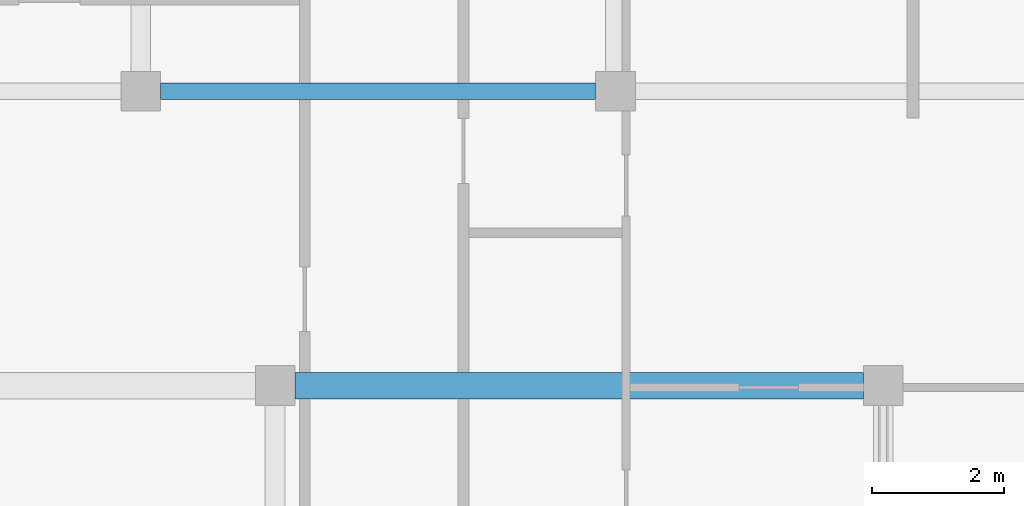
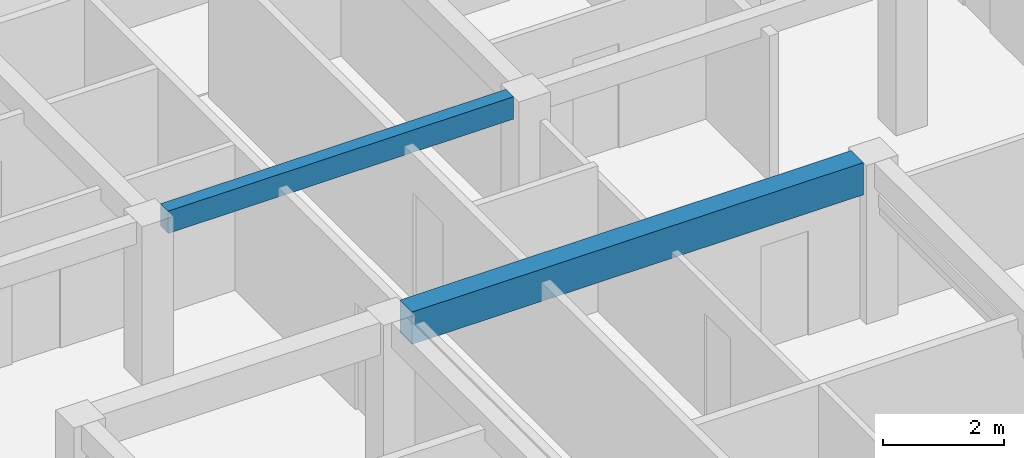
# One storey, part 14 of 71: 2 beams.
"""IFC4 building model written with IfcOpenShell, lengths in metres."""

from ifc_helpers import new_model, si_unit, direction, frame, origin, origin_2d, place, context, subcontext, project, spatial, rectangle, extrude, material, material_profile, profile_set, type_object, element, save


model = new_model("IFC4")

# Units and contexts
model_context = context("Model", 3, precision=1e-05, world=origin(), true_north=direction((0.0, 1.0)))
body_context = subcontext(model_context, "Body", "Model", "MODEL_VIEW")
ifc_project = project(units=[si_unit("LENGTHUNIT", "METRE"), si_unit("AREAUNIT", "SQUARE_METRE"), si_unit("VOLUMEUNIT", "CUBIC_METRE"), si_unit("PLANEANGLEUNIT", "RADIAN"), si_unit("MASSUNIT", "GRAM", prefix="KILO")], contexts=[model_context])

# Site, building, storey
site_placement = place(None, origin())
site = spatial("IfcSite", under=ifc_project, at=site_placement, CompositionType="ELEMENT")
building_placement = place(site_placement, origin())
building = spatial("IfcBuilding", under=site, at=building_placement, Name="Keldmere Railside Commons", CompositionType="ELEMENT")
storey_placement = place(building_placement, frame((0.0, 0.0, 20.159912109375)))
storey = spatial("IfcBuildingStorey", under=building, at=storey_placement, Name="L06", CompositionType="ELEMENT", Elevation=20.159912109375)

# Beams
ifc_material_1 = material(Name="Architectural Precast Concrete H-35 (C35/45)", Category="concrete")
ifc_material_profile_1 = material_profile(ifc_material_1, rectangle(XDim=0.25, YDim=0.449951171875, at=origin_2d()), Name="RC-250x450")
ifc_profile_set_1 = profile_set([ifc_material_profile_1], Name="Architectural Precast Concrete H-35 (C35/45)")
beam_type_1 = type_object("IfcBeamType", Name="Perimeter Precast Spandrel Beam 250x450", PredefinedType="SPANDREL", material=ifc_profile_set_1)
beam_1_placement = place(storey_placement, frame((108.616943359375, 100.449951171875, 2.97509765625), z_axis=(1.0, 0.0, 0.0), x_axis=(0.0, 1.0, 0.0)))
element("IfcBeam", 1, at=beam_1_placement, inside=storey, type_object=beam_type_1, Name="SPB-1 BM-L06-1903", PredefinedType="SPANDREL", context=body_context, shape_type="SweptSolid", body=[
    extrude(rectangle(XDim=0.25, YDim=0.449951171875, at=origin_2d()), origin(), (0.0, 0.0, 1.0), 6.5830078125),
])
ifc_material_2 = material(Name="Concrete H-30 (C30/37)", Category="concrete")
ifc_material_profile_2 = material_profile(ifc_material_2, rectangle(XDim=0.39990234375, YDim=0.64990234375, at=origin_2d()), Name="RC-400x650")
ifc_profile_set_2 = profile_set([ifc_material_profile_2], Name="Concrete H-30 (C30/37)")
beam_type_2 = type_object("IfcBeamType", Name="Residential Spine RC Girder 400x650", PredefinedType="BEAM", material=ifc_profile_set_2)
beam_2_placement = place(storey_placement, frame((110.64990234375, 96.0, 2.875), z_axis=(1.0, 0.0, 0.0), x_axis=(0.0, 1.0, 0.0)))
element("IfcBeam", 2, at=beam_2_placement, inside=storey, type_object=beam_type_2, Name="BG-3 BM-L06-1894", PredefinedType="BEAM", context=body_context, shape_type="SweptSolid", body=[
    extrude(rectangle(XDim=0.39990234375, YDim=0.64990234375, at=origin_2d()), origin(), (0.0, 0.0, 1.0), 8.60009765625),
])

save(model, "model.ifc")
